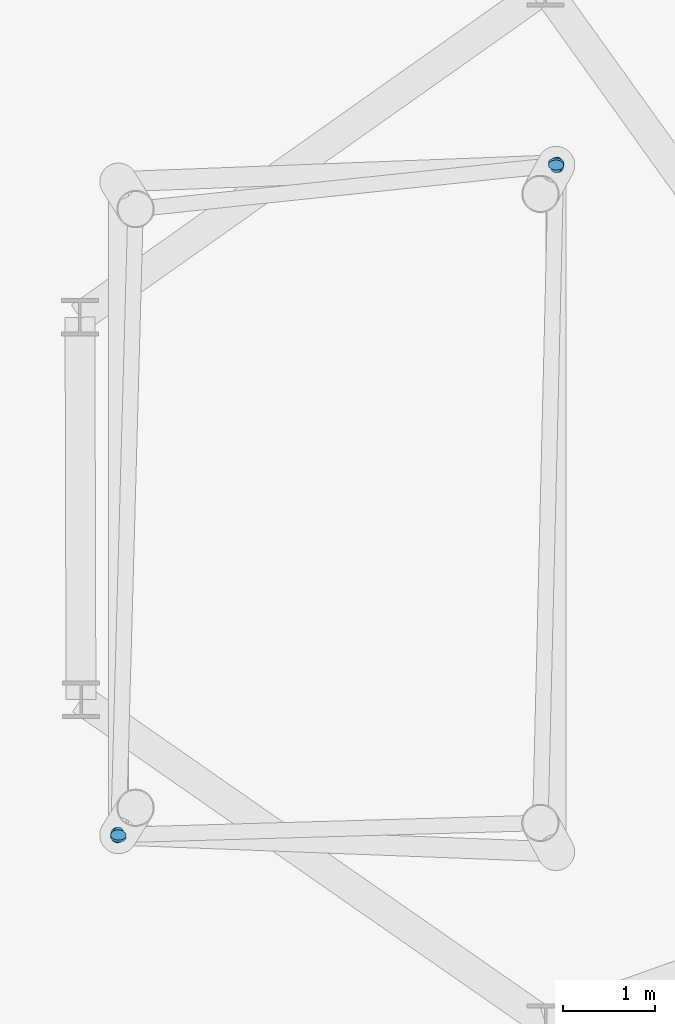
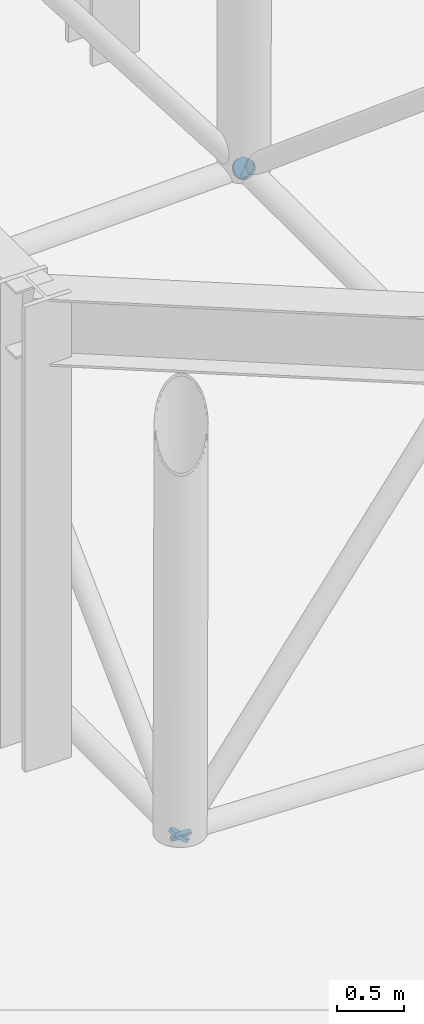
# One storey, part 4 of 4: 4 discrete accessories.
"""IFC4 building model written with IfcOpenShell, lengths in metres."""

from ifc_helpers import new_model, si_unit, direction, frame, origin, origin_2d, place, context, subcontext, project, spatial, circle, extrude, material, material_profile, profile_set, type_object, element, save


model = new_model("IFC4")

# Units and contexts
model_context = context("Model", 3, precision=1e-05, world=origin(), true_north=direction((0.0, 1.0)))
body_context = subcontext(model_context, "Body", "Model", "MODEL_VIEW")
ifc_project = project(units=[si_unit("LENGTHUNIT", "METRE"), si_unit("AREAUNIT", "SQUARE_METRE"), si_unit("VOLUMEUNIT", "CUBIC_METRE"), si_unit("PLANEANGLEUNIT", "RADIAN"), si_unit("MASSUNIT", "GRAM", prefix="KILO")], contexts=[model_context])

# Site, building, storey
site_placement = place(None, origin())
site = spatial("IfcSite", under=ifc_project, at=site_placement, CompositionType="ELEMENT")
building_placement = place(site_placement, origin())
building = spatial("IfcBuilding", under=site, at=building_placement, Name="Alderwake Tower", CompositionType="ELEMENT")
storey_placement = place(building_placement, frame((0.0, 0.0, 314.60009765625)))
storey = spatial("IfcBuildingStorey", under=building, at=storey_placement, Name="Roof", CompositionType="ELEMENT", Elevation=314.60009765625)

# Discrete accessories
ifc_material = material(Name="Steel ASTM A572 Grade 50", Category="steel")
ifc_material_profile = material_profile(ifc_material, circle(Radius=0.084228515625, at=origin_2d()), Name="HSS6.625X0.280 cap")
ifc_profile_set = profile_set([ifc_material_profile], Name="Steel ASTM A572 Grade 50")
discrete_accessory_type = type_object("IfcDiscreteAccessoryType", Name="End cap plate HSS6.625X0.280", PredefinedType="USERDEFINED", material=ifc_profile_set)
discrete_accessory_1_placement = place(storey_placement, frame((20.2373046875, 57.451904296875, 0.39990234375), z_axis=(-0.611598234616, -0.016309286256, -0.791000383436), x_axis=(0.026657190239, -0.999644633962, 0.0)))
element("IfcDiscreteAccessory", 1, at=discrete_accessory_1_placement, inside=storey, type_object=discrete_accessory_type, Name="End cap MD1.1 S", ObjectType="END CAP", PredefinedType="USERDEFINED", context=body_context, shape_type="SweptSolid", body=[
    extrude(circle(Radius=0.084228515625, at=origin_2d()), origin(), (0.0, 0.0, 1.0), 0.030029296875),
])
discrete_accessory_2_placement = place(storey_placement, frame((24.990478515625, 64.72998046875, 0.39990234375), z_axis=(0.605237249268, 0.065431053975, -0.793351529446), x_axis=(-0.10748184298, 0.994207047566, 0.0)))
element("IfcDiscreteAccessory", 2, at=discrete_accessory_2_placement, inside=storey, type_object=discrete_accessory_type, Name="End cap MD2.1 S", ObjectType="END CAP", PredefinedType="USERDEFINED", context=body_context, shape_type="SweptSolid", body=[
    extrude(circle(Radius=0.084228515625, at=origin_2d()), origin(), (0.0, 0.0, 1.0), 0.02978515625),
])
for number, where, z_axis, x_axis, name in (
    (3, (20.2373046875, 57.451904296875, 0.39990234375), (-0.024467183649, -0.750326965224, -0.660613958513), (0.999468760108, -0.032591372612, 0.0), "End cap MD3.1 S"),
    (4, (24.990478515625, 64.72998046875, 0.39990234375), (0.016286018571, 0.765442872847, -0.643297733563), (-0.999773730057, 0.021271781491, 0.0), "End cap MD4.1 S"),
):
    element("IfcDiscreteAccessory", number, at=place(storey_placement, frame(where, z_axis=z_axis, x_axis=x_axis)), inside=storey, type_object=discrete_accessory_type, Name=name, ObjectType="END CAP", PredefinedType="USERDEFINED", context=body_context, shape_type="SweptSolid", body=[
        extrude(circle(Radius=0.084228515625, at=origin_2d()), origin(), (0.0, 0.0, 1.0), 0.030029296875),
    ])

save(model, "model.ifc")
